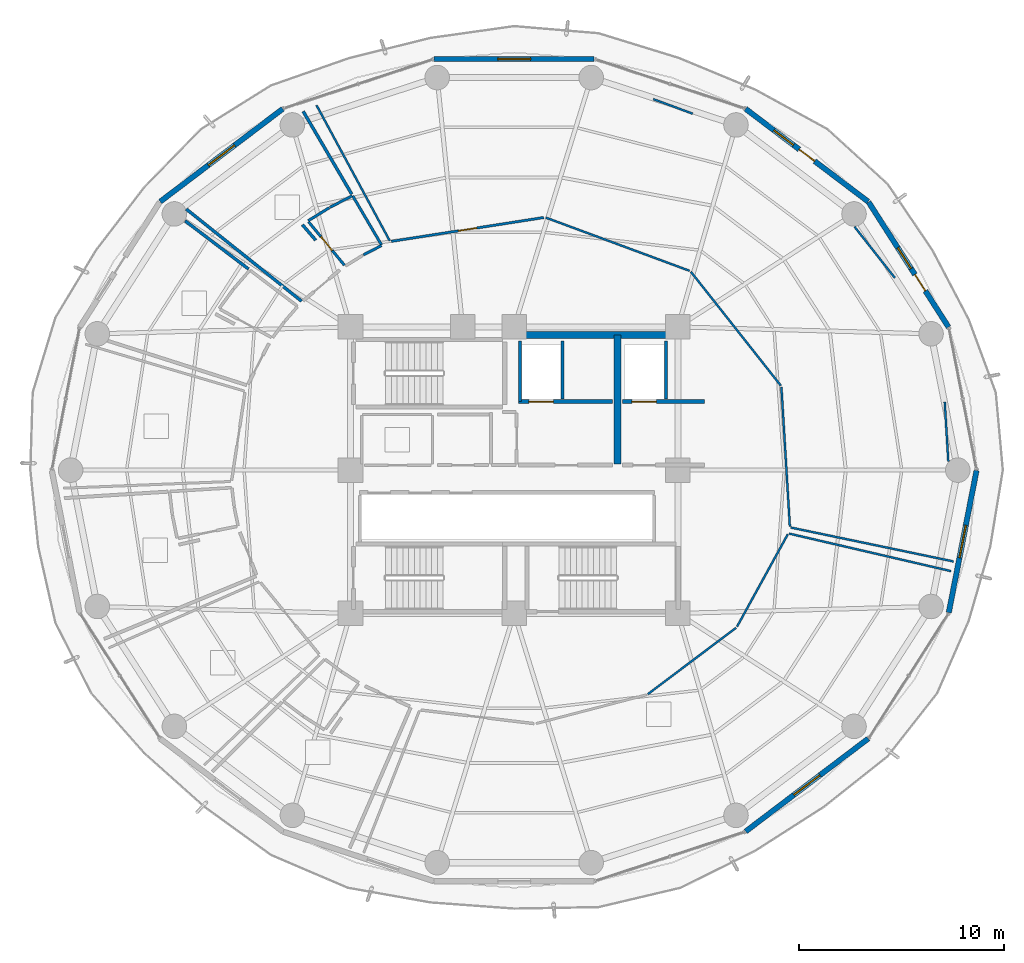
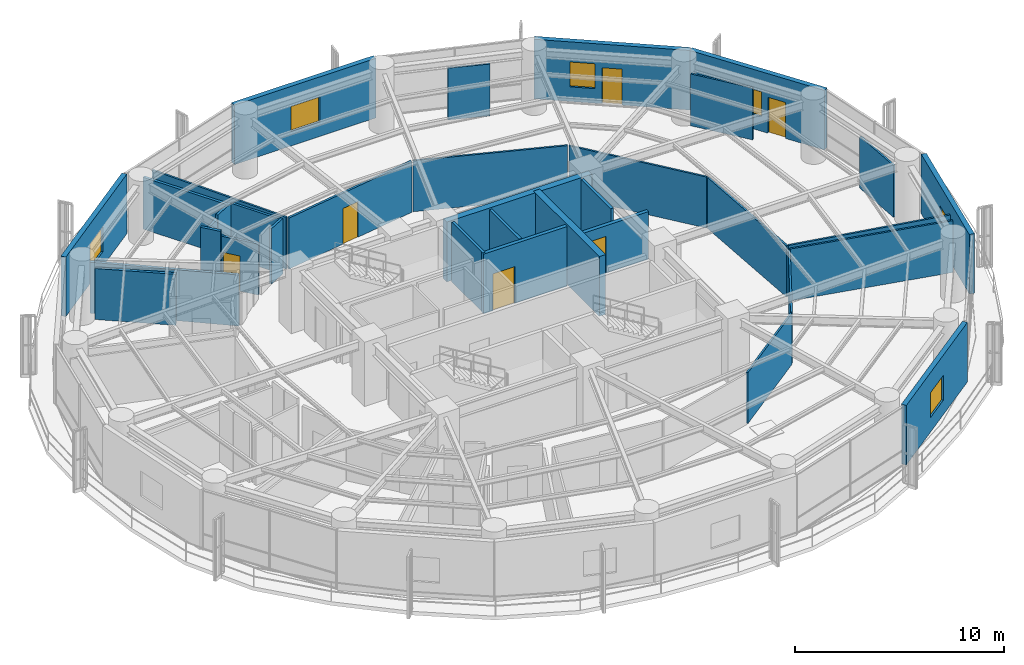
# One storey, part 23 of 27: 34 walls, 6 doors, 6 windows, 12 openings.
"""IFC4 building model written with IfcOpenShell, lengths in metres."""

from ifc_helpers import new_model, si_unit, direction, frame, frame_2d, origin, place, context, subcontext, project, spatial, rectangle, extrude, material, layer, layer_set, type_object, element, fill, save


model = new_model("IFC4")

# Units and contexts
model_context = context("Model", 3, precision=1e-05, world=origin(), true_north=direction((0.0, 1.0)))
body_context = subcontext(model_context, "Body", "Model", "MODEL_VIEW")
ifc_project = project(units=[si_unit("LENGTHUNIT", "METRE"), si_unit("AREAUNIT", "SQUARE_METRE"), si_unit("VOLUMEUNIT", "CUBIC_METRE"), si_unit("PLANEANGLEUNIT", "RADIAN"), si_unit("MASSUNIT", "GRAM", prefix="KILO")], contexts=[model_context])

# Site, building, storey
site_placement = place(None, origin())
site = spatial("IfcSite", under=ifc_project, at=site_placement, CompositionType="ELEMENT")
building_placement = place(site_placement, origin())
building = spatial("IfcBuilding", under=site, at=building_placement, Name="Kelanora Arch Commons", CompositionType="ELEMENT")
storey_placement = place(building_placement, frame((0.0, 0.0, 146.85009765625)))
storey = spatial("IfcBuildingStorey", under=building, at=storey_placement, Name="L37", CompositionType="ELEMENT", Elevation=146.85009765625)

# Walls
ifc_material_1 = material(Name="Autoclaved aerated concrete blockwork with fire plaster", Category="masonry")
ifc_layer_1 = layer(ifc_material_1, 0.14990234375)
ifc_layer_set_1 = layer_set([ifc_layer_1], Name="Autoclaved aerated concrete blockwork with fire plaster")
wall_type_1 = type_object("IfcWallType", Name="W-COMP-150", PredefinedType="PARTITIONING", material=ifc_layer_set_1)
wall_1_placement = place(storey_placement, frame((74.280029296875, 61.35009765625, 0.0), z_axis=(0.0, 0.0, 1.0), x_axis=(0.0, 1.0, 0.0)))
element("IfcWall", 1, at=wall_1_placement, inside=storey, type_object=wall_type_1, Name="Firefighting Lift 1 West Shaft Wall L37", PredefinedType="PARTITIONING", context=body_context, shape_type="SweptSolid", body=[
    extrude(rectangle(XDim=2.969970703125, YDim=0.14990234375, at=frame_2d((1.48486328125, 0.0))), origin(), (0.0, 0.0, 1.0), 3.47998046875),
])
for number, where, z_axis, x_axis, name in (
    (2, (76.360107421875, 61.47998046875, 0.0), (0.0, 0.0, 1.0), (0.0, 1.0, 0.0), "Firefighting Lift 1 East Shaft Wall L37"),
    (3, (81.419921875, 61.47998046875, 0.0), (0.0, 0.0, 1.0), (0.0, 1.0, 0.0), "Firefighting Lift 2 East Shaft Wall L37"),
):
    element("IfcWall", number, at=place(storey_placement, frame(where, z_axis=z_axis, x_axis=x_axis)), inside=storey, type_object=wall_type_1, Name=name, PredefinedType="PARTITIONING", context=body_context, shape_type="SweptSolid", body=[
        extrude(rectangle(XDim=2.840087890625, YDim=0.14990234375, at=frame_2d((1.419921875, 0.0))), origin(), (0.0, 0.0, 1.0), 3.47998046875),
    ])
wall_2_placement = place(storey_placement, frame((63.607666015625, 66.259033203125, 0.0), z_axis=(0.0, 0.0, 1.0), x_axis=(-0.781429667655, 0.623993328898, 0.0)))
element("IfcWall", 4, at=wall_2_placement, inside=storey, type_object=wall_type_1, Name="Co-Living Studio L37-01 Enclosure Partition 2", PredefinedType="PARTITIONING", context=body_context, shape_type="SweptSolid", body=[
    extrude(rectangle(XDim=7.215576171875, YDim=0.14990234375, at=frame_2d((3.60791015625, 0.0))), origin(), (0.0, 0.0, 1.0), 2.974853515625),
])
wall_3_placement = place(storey_placement, frame((63.688232421875, 75.534423828125, 0.0), z_axis=(0.0, 0.0, 1.0), x_axis=(0.505850409321, -0.862621216636, 0.0)))
element("IfcWall", 5, at=wall_3_placement, inside=storey, type_object=wall_type_1, Name="Co-Living Studio L37-01 Enclosure Partition 5", PredefinedType="PARTITIONING", context=body_context, shape_type="SweptSolid", body=[
    extrude(rectangle(XDim=4.690185546875, YDim=0.14990234375, at=frame_2d((2.34521484375, 0.0))), origin(), (0.0, 0.0, 1.0), 3.02490234375),
])
wall_4_placement = place(storey_placement, frame((63.648193359375, 69.99560546875, 0.0), z_axis=(0.0, 0.0, 1.0), x_axis=(0.651733897109, -0.758447709047, 0.0)))
element("IfcWall", 6, at=wall_4_placement, inside=storey, type_object=wall_type_1, Name="Co-Living Studio L37-01 Enclosure Partition 7", PredefinedType="PARTITIONING", context=body_context, shape_type="SweptSolid", body=[
    extrude(rectangle(XDim=1.001953125, YDim=0.14990234375, at=frame_2d((0.5009765625, 0.0))), origin(), (0.0, 0.0, 1.0), 3.47998046875),
])
wall_5_placement = place(storey_placement, frame((57.918212890625, 70.183837890625, 0.0), z_axis=(0.0, 0.0, 1.0), x_axis=(0.796177895966, -0.605062606657, 0.0)))
element("IfcWall", 7, at=wall_5_placement, inside=storey, type_object=wall_type_1, Name="Co-Living Studio L37-02 Enclosure Partition 5", PredefinedType="PARTITIONING", context=body_context, shape_type="SweptSolid", body=[
    extrude(rectangle(XDim=3.89501953125, YDim=0.14990234375, at=frame_2d((1.947509765625, 0.0))), origin(), (0.0, 0.0, 1.0), 2.974853515625),
])
ifc_material_2 = material(Name="Concrete C50/60", Category="concrete")
ifc_layer_2 = layer(ifc_material_2, 0.35009765625)
ifc_layer_set_2 = layer_set([ifc_layer_2], Name="Concrete C50/60")
wall_type_2 = type_object("IfcWallType", Name="W-CORE-350", PredefinedType="SHEAR", material=ifc_layer_set_2)
wall_6_placement = place(storey_placement, frame((74.0, 64.60009765625, 0.0), z_axis=(0.0, 0.0, 1.0), x_axis=(1.0, 0.0, 0.0)))
element("IfcWall", 8, at=wall_6_placement, inside=storey, type_object=wall_type_2, Name="Core Shear Spine L37-CN-E", PredefinedType="SHEAR", context=body_context, shape_type="SweptSolid", body=[
    extrude(rectangle(XDim=8.0, YDim=0.35009765625, at=frame_2d((4.0, 0.0))), origin(), (0.0, 0.0, 1.0), 3.489990234375),
])
wall_7_placement = place(storey_placement, frame((79.050048828125, 58.300048828125, 0.0), z_axis=(0.0, 0.0, 1.0), x_axis=(0.0, 1.0, 0.0)))
element("IfcWall", 9, at=wall_7_placement, inside=storey, type_object=wall_type_2, Name="Core Shear Spine L37-CE-N", PredefinedType="SHEAR", context=body_context, shape_type="SweptSolid", body=[
    extrude(rectangle(XDim=6.300048828125, YDim=0.35009765625, at=frame_2d((3.14990234375, 0.0))), origin(), (0.0, 0.0, 1.0), 3.489990234375),
])

# Wall, openings, door, window
ifc_material_3 = material(Name="Precast concrete C40/50 with terracotta rainscreen", Category="masonry")
ifc_layer_3 = layer(ifc_material_3, 0.260009765625)
ifc_layer_set_3 = layer_set([ifc_layer_3], Name="Precast concrete C40/50 with terracotta rainscreen")
wall_type_3 = type_object("IfcWallType", Name="W-EXT-TC", PredefinedType="SOLIDWALL", material=ifc_layer_set_3)
wall_8_placement = place(storey_placement, frame((95.22900390625, 64.98974609375, 0.0), z_axis=(0.0, 0.0, 1.0), x_axis=(-0.538801521808, 0.842432739213, 0.0)))
wall_8 = element("IfcWall", 10, at=wall_8_placement, inside=storey, type_object=wall_type_3, Name="Terracotta Exterior Wall L37-B01", PredefinedType="SOLIDWALL", context=body_context, shape_type="SweptSolid", body=[
    extrude(rectangle(XDim=7.25341796875, YDim=0.260009765625, at=frame_2d((3.626708984375, 0.0))), origin(), (0.0, 0.0, 1.0), 3.474853515625),
])
opening_1_placement = place(wall_8_placement, frame((2.10205078125, 0.0, 0.0)))
opening_1 = element("IfcOpeningElement", 11, at=opening_1_placement, cuts=wall_8, Name="Opening DB-01", PredefinedType="OPENING", context=body_context, shape_type="SweptSolid", body=[
    extrude(rectangle(XDim=0.949951171875, YDim=2.10009765625, at=frame_2d((0.47509765625, 1.050048828125))), frame((0.0, 0.14013671875, 0.0), z_axis=(0.0, -1.0, 0.0), x_axis=(1.0, 0.0, 0.0)), (0.0, 0.0, 1.0), 0.280029296875),
])
opening_2_placement = place(wall_8_placement, frame((3.402099609375, 0.0, 0.85009765625)))
opening_2 = element("IfcOpeningElement", 12, at=opening_2_placement, cuts=wall_8, Name="Opening WN-02", PredefinedType="OPENING", context=body_context, shape_type="SweptSolid", body=[
    extrude(rectangle(XDim=1.199951171875, YDim=1.449951171875, at=frame_2d((0.60009765625, 0.72509765625))), frame((0.0, 0.14013671875, 0.0), z_axis=(0.0, -1.0, 0.0), x_axis=(1.0, 0.0, 0.0)), (0.0, 0.0, 1.0), 0.280029296875),
])
ifc_material_4 = material(Name="Terracotta-aluminium thermally broken glazed balcony door", Category="masonry")
door_type_1 = type_object("IfcDoorType", Name="D-BAL-10", OperationType="NOTDEFINED", PredefinedType="DOOR", material=ifc_material_4)
door_1_placement = place(opening_1_placement, frame((0.949951171875, 0.0, 0.0), z_axis=(0.0, 0.0, 1.0), x_axis=(-1.0, 0.0, 0.0)))
door_1 = element("IfcDoor", 13, at=door_1_placement, inside=storey, type_object=door_type_1, Name="Wave Balcony Door L37-B01", OperationType="SINGLE_SWING_LEFT", OverallHeight=2.10009765625, OverallWidth=0.949951171875, PredefinedType="DOOR", context=body_context, shape_type="SweptSolid", body=[
    extrude(rectangle(XDim=0.949951171875, YDim=2.10009765625, at=frame_2d((0.47509765625, 1.050048828125))), frame((0.0, 0.02490234375, 0.0), z_axis=(0.0, -1.0, 0.0), x_axis=(1.0, 0.0, 0.0)), (0.0, 0.0, 1.0), 0.050048828125),
])
fill(opening_1, door_1)
ifc_material_5 = material(Name="Terracotta-anodised aluminium frame with operable awning sash", Category="masonry")
window_type_1 = type_object("IfcWindowType", Name="WIN-CL-12", PartitioningType="SINGLE_PANEL", PredefinedType="WINDOW", material=ifc_material_5)
window_1_placement = place(opening_2_placement, origin())
window_1 = element("IfcWindow", 14, at=window_1_placement, inside=storey, type_object=window_type_1, Name="Co-Living Operable Window L37-B01", OverallHeight=1.449951171875, OverallWidth=1.199951171875, PartitioningType="SINGLE_PANEL", PredefinedType="WINDOW", context=body_context, shape_type="SweptSolid", body=[
    extrude(rectangle(XDim=1.199951171875, YDim=1.449951171875, at=frame_2d((0.60009765625, 0.72509765625))), frame((0.0, 0.030029296875, 0.0), z_axis=(0.0, -1.0, 0.0), x_axis=(1.0, 0.0, 0.0)), (0.0, 0.0, 1.0), 0.06005859375),
])
fill(opening_2, window_1)

wall_9_placement = place(storey_placement, frame((91.300537109375, 71.1220703125, 0.0), z_axis=(0.0, 0.0, 1.0), x_axis=(-0.797163719609, 0.603763202042, 0.0)))
wall_9 = element("IfcWall", 15, at=wall_9_placement, inside=storey, type_object=wall_type_3, Name="Terracotta Exterior Wall L37-B02", PredefinedType="SOLIDWALL", context=body_context, shape_type="SweptSolid", body=[
    extrude(rectangle(XDim=7.51220703125, YDim=0.260009765625, at=frame_2d((3.756103515625, 0.0))), origin(), (0.0, 0.0, 1.0), 3.474853515625),
])
opening_3_placement = place(wall_9_placement, frame((3.281005859375, 0.0, 0.0)))
opening_3 = element("IfcOpeningElement", 16, at=opening_3_placement, cuts=wall_9, Name="Opening DB-01", PredefinedType="OPENING", context=body_context, shape_type="SweptSolid", body=[
    extrude(rectangle(XDim=0.949951171875, YDim=2.10009765625, at=frame_2d((0.47509765625, 1.050048828125))), frame((0.0, 0.14013671875, 0.0), z_axis=(0.0, -1.0, 0.0), x_axis=(1.0, 0.0, 0.0)), (0.0, 0.0, 1.0), 0.280029296875),
])
opening_4_placement = place(wall_9_placement, frame((4.5810546875, 0.0, 0.85009765625)))
opening_4 = element("IfcOpeningElement", 17, at=opening_4_placement, cuts=wall_9, Name="Opening WN-02", PredefinedType="OPENING", context=body_context, shape_type="SweptSolid", body=[
    extrude(rectangle(XDim=1.199951171875, YDim=1.449951171875, at=frame_2d((0.60009765625, 0.72509765625))), frame((0.0, 0.14013671875, 0.0), z_axis=(0.0, -1.0, 0.0), x_axis=(1.0, 0.0, 0.0)), (0.0, 0.0, 1.0), 0.280029296875),
])
door_2_placement = place(opening_3_placement, frame((0.949951171875, 0.0, 0.0), z_axis=(0.0, 0.0, 1.0), x_axis=(-1.0, 0.0, 0.0)))
door_2 = element("IfcDoor", 18, at=door_2_placement, inside=storey, type_object=door_type_1, Name="Wave Balcony Door L37-B02", OperationType="SINGLE_SWING_RIGHT", OverallHeight=2.10009765625, OverallWidth=0.949951171875, PredefinedType="DOOR", context=body_context, shape_type="SweptSolid", body=[
    extrude(rectangle(XDim=0.949951171875, YDim=2.10009765625, at=frame_2d((0.47509765625, 1.050048828125))), frame((0.0, 0.02490234375, 0.0), z_axis=(0.0, -1.0, 0.0), x_axis=(1.0, 0.0, 0.0)), (0.0, 0.0, 1.0), 0.050048828125),
])
fill(opening_3, door_2)
window_2_placement = place(opening_4_placement, origin())
window_2 = element("IfcWindow", 19, at=window_2_placement, inside=storey, type_object=window_type_1, Name="Co-Living Operable Window L37-B02", OverallHeight=1.449951171875, OverallWidth=1.199951171875, PartitioningType="SINGLE_PANEL", PredefinedType="WINDOW", context=body_context, shape_type="SweptSolid", body=[
    extrude(rectangle(XDim=1.199951171875, YDim=1.449951171875, at=frame_2d((0.60009765625, 0.72509765625))), frame((0.0, 0.030029296875, 0.0), z_axis=(0.0, -1.0, 0.0), x_axis=(1.0, 0.0, 0.0)), (0.0, 0.0, 1.0), 0.06005859375),
])
fill(opening_4, window_2)

# Wall, opening, window
wall_10_placement = place(storey_placement, frame((77.909423828125, 78.090087890625, 0.0), z_axis=(0.0, 0.0, 1.0), x_axis=(-1.0, 0.0, 0.0)))
wall_10 = element("IfcWall", 20, at=wall_10_placement, inside=storey, type_object=wall_type_3, Name="Terracotta Exterior Wall L37-B04", PredefinedType="SOLIDWALL", context=body_context, shape_type="SweptSolid", body=[
    extrude(rectangle(XDim=7.81884765625, YDim=0.260009765625, at=frame_2d((3.909423828125, 0.0))), origin(), (0.0, 0.0, 1.0), 3.474853515625),
])
opening_5_placement = place(wall_10_placement, frame((3.10888671875, 0.0, 0.85009765625)))
opening_5 = element("IfcOpeningElement", 21, at=opening_5_placement, cuts=wall_10, Name="Opening WN-01", PredefinedType="OPENING", context=body_context, shape_type="SweptSolid", body=[
    extrude(rectangle(XDim=1.60009765625, YDim=1.449951171875, at=frame_2d((0.800048828125, 0.72509765625))), frame((0.0, 0.14013671875, 0.0), z_axis=(0.0, -1.0, 0.0), x_axis=(1.0, 0.0, 0.0)), (0.0, 0.0, 1.0), 0.280029296875),
])
ifc_material_6 = material(Name="Terracotta-anodised aluminium frame with operable low-E glazing", Category="masonry")
window_type_2 = type_object("IfcWindowType", Name="WIN-CL-18", PartitioningType="DOUBLE_PANEL_VERTICAL", PredefinedType="WINDOW", material=ifc_material_6)
window_3_placement = place(opening_5_placement, origin())
window_3 = element("IfcWindow", 22, at=window_3_placement, inside=storey, type_object=window_type_2, Name="Co-Living Operable Window L37-B04", OverallHeight=1.449951171875, OverallWidth=1.60009765625, PartitioningType="SINGLE_PANEL", PredefinedType="WINDOW", context=body_context, shape_type="SweptSolid", body=[
    extrude(rectangle(XDim=1.60009765625, YDim=1.449951171875, at=frame_2d((0.800048828125, 0.72509765625))), frame((0.0, 0.030029296875, 0.0), z_axis=(0.0, -1.0, 0.0), x_axis=(1.0, 0.0, 0.0)), (0.0, 0.0, 1.0), 0.06005859375),
])
fill(opening_5, window_3)

wall_11_placement = place(storey_placement, frame((62.68798828125, 75.65771484375, 0.0), z_axis=(0.0, 0.0, 1.0), x_axis=(-0.797163719609, -0.603763202042, 0.0)))
wall_11 = element("IfcWall", 23, at=wall_11_placement, inside=storey, type_object=wall_type_3, Name="Terracotta Exterior Wall L37-B06", PredefinedType="SOLIDWALL", context=body_context, shape_type="SweptSolid", body=[
    extrude(rectangle(XDim=7.51220703125, YDim=0.260009765625, at=frame_2d((3.756103515625, 0.0))), origin(), (0.0, 0.0, 1.0), 3.474853515625),
])
opening_6_placement = place(wall_11_placement, frame((2.9560546875, 0.0, 0.85009765625)))
opening_6 = element("IfcOpeningElement", 24, at=opening_6_placement, cuts=wall_11, Name="Opening WN-01", PredefinedType="OPENING", context=body_context, shape_type="SweptSolid", body=[
    extrude(rectangle(XDim=1.60009765625, YDim=1.449951171875, at=frame_2d((0.800048828125, 0.72509765625))), frame((0.0, 0.14013671875, 0.0), z_axis=(0.0, -1.0, 0.0), x_axis=(1.0, 0.0, 0.0)), (0.0, 0.0, 1.0), 0.280029296875),
])
window_4_placement = place(opening_6_placement, origin())
window_4 = element("IfcWindow", 25, at=window_4_placement, inside=storey, type_object=window_type_2, Name="Co-Living Operable Window L37-B06", OverallHeight=1.449951171875, OverallWidth=1.60009765625, PartitioningType="SINGLE_PANEL", PredefinedType="WINDOW", context=body_context, shape_type="SweptSolid", body=[
    extrude(rectangle(XDim=1.60009765625, YDim=1.449951171875, at=frame_2d((0.800048828125, 0.72509765625))), frame((0.0, 0.030029296875, 0.0), z_axis=(0.0, -1.0, 0.0), x_axis=(1.0, 0.0, 0.0)), (0.0, 0.0, 1.0), 0.06005859375),
])
fill(opening_6, window_4)

wall_12_placement = place(storey_placement, frame((85.31201171875, 40.34228515625, 0.0), z_axis=(0.0, 0.0, 1.0), x_axis=(0.797163719609, 0.603763202042, 0.0)))
wall_12 = element("IfcWall", 26, at=wall_12_placement, inside=storey, type_object=wall_type_3, Name="Terracotta Exterior Wall L37-B15", PredefinedType="SOLIDWALL", context=body_context, shape_type="SweptSolid", body=[
    extrude(rectangle(XDim=7.51220703125, YDim=0.260009765625, at=frame_2d((3.756103515625, 0.0))), origin(), (0.0, 0.0, 1.0), 3.474853515625),
])
opening_7_placement = place(wall_12_placement, frame((2.9560546875, 0.0, 0.85009765625)))
opening_7 = element("IfcOpeningElement", 27, at=opening_7_placement, cuts=wall_12, Name="Opening WN-01", PredefinedType="OPENING", context=body_context, shape_type="SweptSolid", body=[
    extrude(rectangle(XDim=1.60009765625, YDim=1.449951171875, at=frame_2d((0.800048828125, 0.72509765625))), frame((0.0, 0.14013671875, 0.0), z_axis=(0.0, -1.0, 0.0), x_axis=(1.0, 0.0, 0.0)), (0.0, 0.0, 1.0), 0.280029296875),
])
window_5_placement = place(opening_7_placement, origin())
window_5 = element("IfcWindow", 28, at=window_5_placement, inside=storey, type_object=window_type_2, Name="Co-Living Operable Window L37-B15", OverallHeight=1.449951171875, OverallWidth=1.60009765625, PartitioningType="SINGLE_PANEL", PredefinedType="WINDOW", context=body_context, shape_type="SweptSolid", body=[
    extrude(rectangle(XDim=1.60009765625, YDim=1.449951171875, at=frame_2d((0.800048828125, 0.72509765625))), frame((0.0, 0.030029296875, 0.0), z_axis=(0.0, -1.0, 0.0), x_axis=(1.0, 0.0, 0.0)), (0.0, 0.0, 1.0), 0.06005859375),
])
fill(opening_7, window_5)

wall_13_placement = place(storey_placement, frame((95.239990234375, 51.03759765625, 0.0), z_axis=(0.0, 0.0, 1.0), x_axis=(0.191716984769, 0.981450252306, 0.0)))
wall_13 = element("IfcWall", 29, at=wall_13_placement, inside=storey, type_object=wall_type_3, Name="Terracotta Exterior Wall L37-B17", PredefinedType="SOLIDWALL", context=body_context, shape_type="SweptSolid", body=[
    extrude(rectangle(XDim=7.0791015625, YDim=0.260009765625, at=frame_2d((3.53955078125, 0.0))), origin(), (0.0, 0.0, 1.0), 3.474853515625),
])
opening_8_placement = place(wall_13_placement, frame((2.739990234375, 0.0, 0.85009765625)))
opening_8 = element("IfcOpeningElement", 30, at=opening_8_placement, cuts=wall_13, Name="Opening WN-01", PredefinedType="OPENING", context=body_context, shape_type="SweptSolid", body=[
    extrude(rectangle(XDim=1.60009765625, YDim=1.449951171875, at=frame_2d((0.800048828125, 0.72509765625))), frame((0.0, 0.14013671875, 0.0), z_axis=(0.0, -1.0, 0.0), x_axis=(1.0, 0.0, 0.0)), (0.0, 0.0, 1.0), 0.280029296875),
])
window_6_placement = place(opening_8_placement, origin())
window_6 = element("IfcWindow", 31, at=window_6_placement, inside=storey, type_object=window_type_2, Name="Co-Living Operable Window L37-B17", OverallHeight=1.449951171875, OverallWidth=1.60009765625, PartitioningType="SINGLE_PANEL", PredefinedType="WINDOW", context=body_context, shape_type="SweptSolid", body=[
    extrude(rectangle(XDim=1.60009765625, YDim=1.449951171875, at=frame_2d((0.800048828125, 0.72509765625))), frame((0.0, 0.030029296875, 0.0), z_axis=(0.0, -1.0, 0.0), x_axis=(1.0, 0.0, 0.0)), (0.0, 0.0, 1.0), 0.06005859375),
])
fill(opening_8, window_6)

# Wall, opening, door
ifc_material_7 = material(Name="Concrete C40/50", Category="concrete")
ifc_layer_4 = layer(ifc_material_7, 0.199951171875)
ifc_layer_set_4 = layer_set([ifc_layer_4], Name="Concrete C40/50")
wall_type_4 = type_object("IfcWallType", Name="W-FFL-200", PredefinedType="SOLIDWALL", material=ifc_layer_set_4)
wall_14_placement = place(storey_placement, frame((74.199951171875, 61.35009765625, 0.0), z_axis=(0.0, 0.0, 1.0), x_axis=(1.0, 0.0, 0.0)))
wall_14 = element("IfcWall", 32, at=wall_14_placement, inside=storey, type_object=wall_type_4, Name="Firefighting Lift 1 Shaft Front L37", PredefinedType="SOLIDWALL", context=body_context, shape_type="SweptSolid", body=[
    extrude(rectangle(XDim=4.60009765625, YDim=0.199951171875, at=frame_2d((2.300048828125, 0.0))), origin(), (0.0, 0.0, 1.0), 3.47998046875),
])
opening_9_placement = place(wall_14_placement, frame((0.52001953125, 0.0, 0.0)))
opening_9 = element("IfcOpeningElement", 33, at=opening_9_placement, cuts=wall_14, Name="Opening LD-FF", PredefinedType="OPENING", context=body_context, shape_type="SweptSolid", body=[
    extrude(rectangle(XDim=1.199951171875, YDim=2.14990234375, at=frame_2d((0.60009765625, 1.074951171875))), frame((0.0, 0.10986328125, 0.0), z_axis=(0.0, -1.0, 0.0), x_axis=(1.0, 0.0, 0.0)), (0.0, 0.0, 1.0), 0.219970703125),
])
ifc_material_8 = material(Name="Fire-rated firefighters lift sliding landing door")
door_type_2 = type_object("IfcDoorType", Name="D-LIFT-FF", OperationType="NOTDEFINED", PredefinedType="DOOR", material=ifc_material_8)
door_3_placement = place(opening_9_placement, origin())
door_3 = element("IfcDoor", 34, at=door_3_placement, inside=storey, type_object=door_type_2, Name="Firefighting Lift LF-FF1 Landing Door L37", OperationType="DOUBLE_DOOR_SLIDING", OverallHeight=2.14990234375, OverallWidth=1.199951171875, PredefinedType="DOOR", context=body_context, shape_type="SweptSolid", body=[
    extrude(rectangle(XDim=1.199951171875, YDim=2.14990234375, at=frame_2d((0.60009765625, 1.074951171875))), frame((0.0, 0.02490234375, 0.0), z_axis=(0.0, -1.0, 0.0), x_axis=(1.0, 0.0, 0.0)), (0.0, 0.0, 1.0), 0.050048828125),
])
fill(opening_9, door_3)

wall_15_placement = place(storey_placement, frame((79.300048828125, 61.35009765625, 0.0), z_axis=(0.0, 0.0, 1.0), x_axis=(1.0, 0.0, 0.0)))
wall_15 = element("IfcWall", 35, at=wall_15_placement, inside=storey, type_object=wall_type_4, Name="Firefighting Lift 2 Shaft Front L37", PredefinedType="SOLIDWALL", context=body_context, shape_type="SweptSolid", body=[
    extrude(rectangle(XDim=4.0, YDim=0.199951171875, at=frame_2d((2.0, 0.0))), origin(), (0.0, 0.0, 1.0), 2.77490234375),
])
opening_10_placement = place(wall_15_placement, frame((0.449951171875, 0.0, 0.0)))
opening_10 = element("IfcOpeningElement", 36, at=opening_10_placement, cuts=wall_15, Name="Opening LD-FF", PredefinedType="OPENING", context=body_context, shape_type="SweptSolid", body=[
    extrude(rectangle(XDim=1.199951171875, YDim=2.14990234375, at=frame_2d((0.60009765625, 1.074951171875))), frame((0.0, 0.10986328125, 0.0), z_axis=(0.0, -1.0, 0.0), x_axis=(1.0, 0.0, 0.0)), (0.0, 0.0, 1.0), 0.219970703125),
])
door_4_placement = place(opening_10_placement, origin())
door_4 = element("IfcDoor", 37, at=door_4_placement, inside=storey, type_object=door_type_2, Name="Firefighting Lift LF-FF2 Landing Door L37", OperationType="DOUBLE_DOOR_SLIDING", OverallHeight=2.14990234375, OverallWidth=1.199951171875, PredefinedType="DOOR", context=body_context, shape_type="SweptSolid", body=[
    extrude(rectangle(XDim=1.199951171875, YDim=2.14990234375, at=frame_2d((0.60009765625, 1.074951171875))), frame((0.0, 0.02490234375, 0.0), z_axis=(0.0, -1.0, 0.0), x_axis=(1.0, 0.0, 0.0)), (0.0, 0.0, 1.0), 0.050048828125),
])
fill(opening_10, door_4)

# Walls
ifc_material_9 = material(Name="Lightweight fire-rated acoustic stud partition")
ifc_layer_5 = layer(ifc_material_9, 0.10009765625)
ifc_layer_set_5 = layer_set([ifc_layer_5], Name="Lightweight fire-rated acoustic stud partition")
wall_type_5 = type_object("IfcWallType", Name="W-PART-100", PredefinedType="PARTITIONING", material=ifc_layer_set_5)
wall_16_placement = place(storey_placement, frame((80.534912109375, 47.053955078125, 0.0), z_axis=(0.0, 0.0, 1.0), x_axis=(0.799096406603, 0.601202904979, 0.0)))
element("IfcWall", 38, at=wall_16_placement, inside=storey, type_object=wall_type_5, Name="South-East Shared Study Commons L37 Enclosure Partition 3", PredefinedType="PARTITIONING", context=body_context, shape_type="SweptSolid", body=[
    extrude(rectangle(XDim=5.387451171875, YDim=0.10009765625, at=frame_2d((2.69384765625, 0.0))), origin(), (0.0, 0.0, 1.0), 2.974853515625),
])
wall_17_placement = place(storey_placement, frame((84.891357421875, 50.35205078125, 0.0), z_axis=(0.0, 0.0, 1.0), x_axis=(0.481680787808, 0.876346745676, 0.0)))
element("IfcWall", 39, at=wall_17_placement, inside=storey, type_object=wall_type_5, Name="South-East Shared Study Commons L37 Enclosure Partition 4", PredefinedType="PARTITIONING", context=body_context, shape_type="SweptSolid", body=[
    extrude(rectangle(XDim=5.15966796875, YDim=0.10009765625, at=frame_2d((2.579833984375, 0.0))), origin(), (0.0, 0.0, 1.0), 2.974853515625),
])
wall_18_placement = place(storey_placement, frame((87.43505859375, 54.89990234375, 0.0), z_axis=(0.0, 0.0, 1.0), x_axis=(0.97414388338, -0.225928516292, 0.0)))
element("IfcWall", 40, at=wall_18_placement, inside=storey, type_object=wall_type_5, Name="South-East Shared Study Commons L37 Enclosure Partition 5", PredefinedType="PARTITIONING", context=body_context, shape_type="SweptSolid", body=[
    extrude(rectangle(XDim=8.121826171875, YDim=0.10009765625, at=frame_2d((4.06103515625, 0.0))), origin(), (0.0, 0.0, 1.0), 3.02490234375),
])
wall_19_placement = place(storey_placement, frame((87.4736328125, 55.243896484375, 0.0), z_axis=(0.0, 0.0, 1.0), x_axis=(-0.060688331813, 0.998156764432, 0.0)))
element("IfcWall", 41, at=wall_19_placement, inside=storey, type_object=wall_type_5, Name="North-East Shared Cluster Kitchen L37 Enclosure Partition 1", PredefinedType="PARTITIONING", context=body_context, shape_type="SweptSolid", body=[
    extrude(rectangle(XDim=6.826904296875, YDim=0.10009765625, at=frame_2d((3.41357421875, 0.0))), origin(), (0.0, 0.0, 1.0), 2.974853515625),
])
wall_20_placement = place(storey_placement, frame((87.0322265625, 62.12939453125, 0.0), z_axis=(0.0, 0.0, 1.0), x_axis=(-0.619933209612, 0.784654583636, 0.0)))
element("IfcWall", 42, at=wall_20_placement, inside=storey, type_object=wall_type_5, Name="North-East Shared Cluster Kitchen L37 Enclosure Partition 2", PredefinedType="PARTITIONING", context=body_context, shape_type="SweptSolid", body=[
    extrude(rectangle(XDim=7.094970703125, YDim=0.10009765625, at=frame_2d((3.54736328125, 0.0))), origin(), (0.0, 0.0, 1.0), 2.974853515625),
])
wall_21_placement = place(storey_placement, frame((82.571533203125, 67.741943359375, 0.0), z_axis=(0.0, 0.0, 1.0), x_axis=(-0.937874459602, 0.346974780101, 0.0)))
element("IfcWall", 43, at=wall_21_placement, inside=storey, type_object=wall_type_5, Name="North-East Shared Cluster Kitchen L37 Enclosure Partition 3", PredefinedType="PARTITIONING", context=body_context, shape_type="SweptSolid", body=[
    extrude(rectangle(XDim=7.49365234375, YDim=0.10009765625, at=frame_2d((3.746826171875, 0.0))), origin(), (0.0, 0.0, 1.0), 2.974853515625),
])
wall_22_placement = place(storey_placement, frame((67.91796875, 69.207275390625, 0.0), z_axis=(0.0, 0.0, 1.0), x_axis=(-0.475160964166, 0.879898890858, 0.0)))
element("IfcWall", 44, at=wall_22_placement, inside=storey, type_object=wall_type_5, Name="North-East Shared Cluster Kitchen L37 Enclosure Partition 5", PredefinedType="PARTITIONING", context=body_context, shape_type="SweptSolid", body=[
    extrude(rectangle(XDim=7.52978515625, YDim=0.10009765625, at=frame_2d((3.764892578125, 0.0))), origin(), (0.0, 0.0, 1.0), 3.02490234375),
])
wall_23_placement = place(storey_placement, frame((80.80126953125, 76.1318359375, 0.0), z_axis=(0.0, 0.0, 1.0), x_axis=(0.93765088322, -0.347578510839, 0.0)))
element("IfcWall", 45, at=wall_23_placement, inside=storey, type_object=wall_type_5, Name="North-East Shared Cluster Kitchen L37 Enclosure Partition 7", PredefinedType="PARTITIONING", context=body_context, shape_type="SweptSolid", body=[
    extrude(rectangle(XDim=2.046875, YDim=0.10009765625, at=frame_2d((1.0234375, 0.0))), origin(), (0.0, 0.0, 1.0), 3.02490234375),
])
wall_24_placement = place(storey_placement, frame((90.6318359375, 69.89697265625, 0.0), z_axis=(0.0, 0.0, 1.0), x_axis=(0.619174528799, -0.78525340043, 0.0)))
element("IfcWall", 46, at=wall_24_placement, inside=storey, type_object=wall_type_5, Name="North-East Shared Cluster Kitchen L37 Enclosure Partition 8", PredefinedType="PARTITIONING", context=body_context, shape_type="SweptSolid", body=[
    extrude(rectangle(XDim=3.185546875, YDim=0.10009765625, at=frame_2d((1.5927734375, 0.0))), origin(), (0.0, 0.0, 1.0), 3.02490234375),
])
wall_25_placement = place(storey_placement, frame((95.040771484375, 61.32861328125, 0.0), z_axis=(0.0, 0.0, 1.0), x_axis=(0.060573475309, -0.998163741121, 0.0)))
element("IfcWall", 47, at=wall_25_placement, inside=storey, type_object=wall_type_5, Name="North-East Shared Cluster Kitchen L37 Enclosure Partition 9", PredefinedType="PARTITIONING", context=body_context, shape_type="SweptSolid", body=[
    extrude(rectangle(XDim=2.9140625, YDim=0.10009765625, at=frame_2d((1.45703125, 0.0))), origin(), (0.0, 0.0, 1.0), 3.02490234375),
])
wall_26_placement = place(storey_placement, frame((95.474853515625, 53.5361328125, 0.0), z_axis=(0.0, 0.0, 1.0), x_axis=(-0.978946183013, 0.204118521367, 0.0)))
element("IfcWall", 48, at=wall_26_placement, inside=storey, type_object=wall_type_5, Name="North-East Shared Cluster Kitchen L37 Enclosure Partition 10", PredefinedType="PARTITIONING", context=body_context, shape_type="SweptSolid", body=[
    extrude(rectangle(XDim=8.130859375, YDim=0.10009765625, at=frame_2d((4.0654296875, 0.0))), origin(), (0.0, 0.0, 1.0), 3.02490234375),
])

# Wall, opening, door
ifc_material_10 = material(Name="Acoustic twin-stud fire-rated gypsum partition")
ifc_layer_6 = layer(ifc_material_10, 0.1201171875)
ifc_layer_set_6 = layer_set([ifc_layer_6], Name="Acoustic twin-stud fire-rated gypsum partition")
wall_type_6 = type_object("IfcWallType", Name="W-PART-120", PredefinedType="PARTITIONING", material=ifc_layer_set_6)
wall_27_placement = place(storey_placement, frame((75.44677734375, 70.3466796875, 0.0), z_axis=(0.0, 0.0, 1.0), x_axis=(-0.987988721118, -0.154526007337, 0.0)))
wall_27 = element("IfcWall", 49, at=wall_27_placement, inside=storey, type_object=wall_type_6, Name="North-East Shared Cluster Kitchen L37 Entry Partition", PredefinedType="PARTITIONING", context=body_context, shape_type="SweptSolid", body=[
    extrude(rectangle(XDim=7.541015625, YDim=0.1201171875, at=frame_2d((3.7705078125, 0.0))), origin(), (0.0, 0.0, 1.0), 2.974853515625),
])
opening_11_placement = place(wall_27_placement, frame((3.320068359375, 0.0, 0.0)))
opening_11 = element("IfcOpeningElement", 50, at=opening_11_placement, cuts=wall_27, Name="Opening D-RM1", PredefinedType="OPENING", context=body_context, shape_type="SweptSolid", body=[
    extrude(rectangle(XDim=0.89990234375, YDim=2.080078125, at=frame_2d((0.449951171875, 1.0400390625))), frame((0.0, 0.070068359375, 0.0), z_axis=(0.0, -1.0, 0.0), x_axis=(1.0, 0.0, 0.0)), (0.0, 0.0, 1.0), 0.14013671875),
])
ifc_material_11 = material(Name="Acoustic fire-rated timber study and lounge door", Category="wood")
door_type_3 = type_object("IfcDoorType", Name="D-ROOM-90", OperationType="NOTDEFINED", PredefinedType="DOOR", material=ifc_material_11)
door_5_placement = place(opening_11_placement, origin())
door_5 = element("IfcDoor", 51, at=door_5_placement, inside=storey, type_object=door_type_3, Name="North-East Shared Cluster Kitchen L37 Door", OperationType="SINGLE_SWING_LEFT", OverallHeight=2.080078125, OverallWidth=0.89990234375, PredefinedType="DOOR", context=body_context, shape_type="SweptSolid", body=[
    extrude(rectangle(XDim=0.89990234375, YDim=2.080078125, at=frame_2d((0.449951171875, 1.0400390625))), frame((0.0, 0.02490234375, 0.0), z_axis=(0.0, -1.0, 0.0), x_axis=(1.0, 0.0, 0.0)), (0.0, 0.0, 1.0), 0.050048828125),
])
fill(opening_11, door_5)

ifc_material_12 = material(Name="Moisture-resistant fire-rated cement-board plumbing wall")
ifc_layer_7 = layer(ifc_material_12, 0.1298828125)
ifc_layer_set_7 = layer_set([ifc_layer_7], Name="Moisture-resistant fire-rated cement-board plumbing wall")
wall_type_7 = type_object("IfcWallType", Name="W-WET-120", PredefinedType="PLUMBINGWALL", material=ifc_layer_set_7)
wall_28_placement = place(storey_placement, frame((65.701904296875, 68.016357421875, 0.0), z_axis=(0.0, 0.0, 1.0), x_axis=(-0.636757315483, 0.771064278241, 0.0)))
wall_28 = element("IfcWall", 52, at=wall_28_placement, inside=storey, type_object=wall_type_7, Name="En-Suite Shower WC L37-01 Entry Partition", PredefinedType="PLUMBINGWALL", context=body_context, shape_type="SweptSolid", body=[
    extrude(rectangle(XDim=2.744873046875, YDim=0.1298828125, at=frame_2d((1.37255859375, 0.0))), origin(), (0.0, 0.0, 1.0), 2.974853515625),
])
opening_12_placement = place(wall_28_placement, frame((0.94189453125, 0.0, 0.0)))
opening_12 = element("IfcOpeningElement", 53, at=opening_12_placement, cuts=wall_28, Name="Opening D-BT1", PredefinedType="OPENING", context=body_context, shape_type="SweptSolid", body=[
    extrude(rectangle(XDim=0.860107421875, YDim=2.050048828125, at=frame_2d((0.43017578125, 1.02490234375))), frame((0.0, 0.074951171875, 0.0), z_axis=(0.0, -1.0, 0.0), x_axis=(1.0, 0.0, 0.0)), (0.0, 0.0, 1.0), 0.14990234375),
])
ifc_material_13 = material(Name="Moisture-sealed fire-rated accessible bathroom door")
door_type_4 = type_object("IfcDoorType", Name="D-BATH-85", OperationType="NOTDEFINED", PredefinedType="DOOR", material=ifc_material_13)
door_6_placement = place(opening_12_placement, origin())
door_6 = element("IfcDoor", 54, at=door_6_placement, inside=storey, type_object=door_type_4, Name="En-Suite Shower WC L37-01 Door", OperationType="SINGLE_SWING_RIGHT", OverallHeight=2.050048828125, OverallWidth=0.860107421875, PredefinedType="DOOR", context=body_context, shape_type="SweptSolid", body=[
    extrude(rectangle(XDim=0.860107421875, YDim=2.050048828125, at=frame_2d((0.43017578125, 1.02490234375))), frame((0.0, 0.02490234375, 0.0), z_axis=(0.0, -1.0, 0.0), x_axis=(1.0, 0.0, 0.0)), (0.0, 0.0, 1.0), 0.050048828125),
])
fill(opening_12, door_6)

# Walls
wall_29_placement = place(storey_placement, frame((67.51123046875, 68.975830078125, 0.0), z_axis=(0.0, 0.0, 1.0), x_axis=(-0.88687840459, -0.462002917168, 0.0)))
element("IfcWall", 55, at=wall_29_placement, inside=storey, type_object=wall_type_7, Name="En-Suite Shower WC L37-01 Enclosure Partition 1", PredefinedType="PLUMBINGWALL", context=body_context, shape_type="SweptSolid", body=[
    extrude(rectangle(XDim=0.992919921875, YDim=0.1298828125, at=frame_2d((0.49658203125, 0.0))), origin(), (0.0, 0.0, 1.0), 3.23486328125),
])
wall_30_placement = place(storey_placement, frame((63.93310546875, 70.189453125, 0.0), z_axis=(0.0, 0.0, 1.0), x_axis=(0.851319302067, 0.524647925688, 0.0)))
element("IfcWall", 56, at=wall_30_placement, inside=storey, type_object=wall_type_7, Name="En-Suite Shower WC L37-01 Enclosure Partition 4", PredefinedType="PLUMBINGWALL", context=body_context, shape_type="SweptSolid", body=[
    extrude(rectangle(XDim=1.212158203125, YDim=0.1298828125, at=frame_2d((0.60595703125, 0.0))), origin(), (0.0, 0.0, 1.0), 2.974853515625),
])
wall_31_placement = place(storey_placement, frame((64.999755859375, 70.84521484375, 0.0), z_axis=(0.0, 0.0, 1.0), x_axis=(0.886527747476, 0.462675429383, 0.0)))
element("IfcWall", 57, at=wall_31_placement, inside=storey, type_object=wall_type_7, Name="En-Suite Shower WC L37-01 Enclosure Partition 5", PredefinedType="PLUMBINGWALL", context=body_context, shape_type="SweptSolid", body=[
    extrude(rectangle(XDim=1.219970703125, YDim=0.1298828125, at=frame_2d((0.60986328125, 0.0))), origin(), (0.0, 0.0, 1.0), 3.1748046875),
])
wall_32_placement = place(storey_placement, frame((66.109130859375, 71.40185546875, 0.0), z_axis=(0.0, 0.0, 1.0), x_axis=(0.506513995599, -0.862231739304, 0.0)))
element("IfcWall", 58, at=wall_32_placement, inside=storey, type_object=wall_type_7, Name="En-Suite Shower WC L37-01 Enclosure Partition 6", PredefinedType="PLUMBINGWALL", context=body_context, shape_type="SweptSolid", body=[
    extrude(rectangle(XDim=2.782958984375, YDim=0.1298828125, at=frame_2d((1.3916015625, 0.0))), origin(), (0.0, 0.0, 1.0), 3.1748046875),
])

save(model, "model.ifc")
